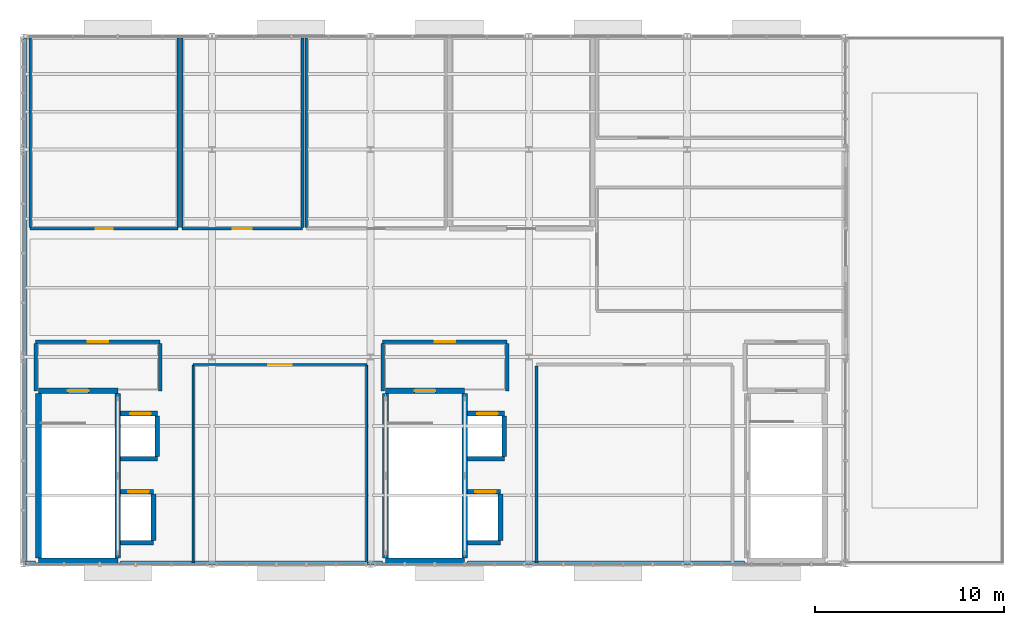
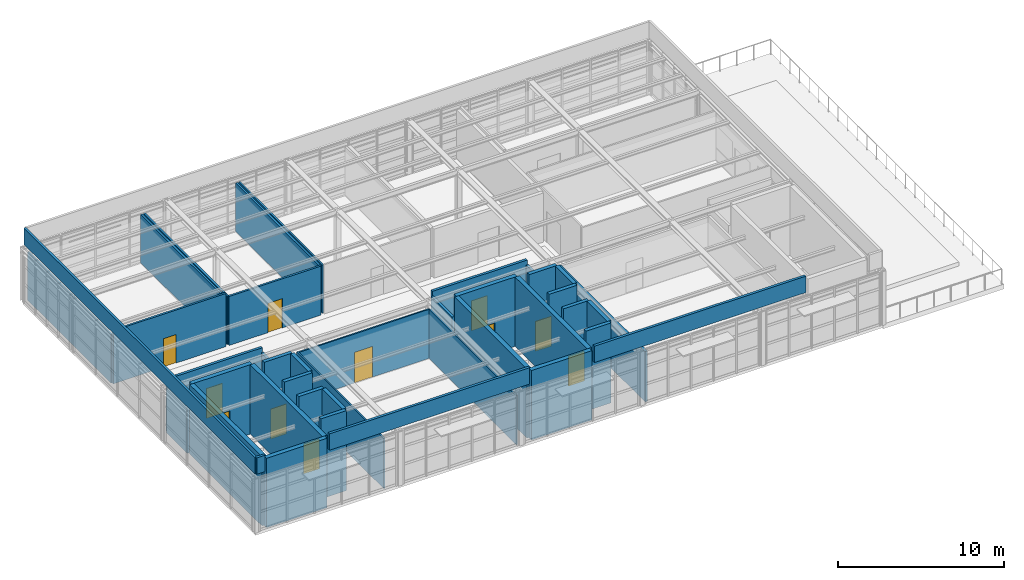
# One storey, part 16 of 18: 41 walls, 11 doors, 11 openings.
"""IFC4 building model written with IfcOpenShell, lengths in metres."""

from ifc_helpers import new_model, si_unit, direction, frame, frame_2d, origin, place, context, subcontext, project, spatial, rectangle, extrude, material, layer, layer_set, type_object, element, fill, save


model = new_model("IFC4")

# Units and contexts
model_context = context("Model", 3, precision=1e-05, world=origin(), true_north=direction((0.0, 1.0)))
body_context = subcontext(model_context, "Body", "Model", "MODEL_VIEW")
ifc_project = project(units=[si_unit("LENGTHUNIT", "METRE"), si_unit("AREAUNIT", "SQUARE_METRE"), si_unit("VOLUMEUNIT", "CUBIC_METRE"), si_unit("PLANEANGLEUNIT", "RADIAN"), si_unit("MASSUNIT", "GRAM", prefix="KILO")], contexts=[model_context])

# Site, building, storey
site_placement = place(None, origin())
site = spatial("IfcSite", under=ifc_project, at=site_placement, CompositionType="ELEMENT")
building_placement = place(site_placement, origin())
building = spatial("IfcBuilding", under=site, at=building_placement, Name="Sitalva Quay Ferry Terminal", CompositionType="ELEMENT")
storey_placement = place(building_placement, frame((0.0, 0.0, 18.60009765625)))
storey = spatial("IfcBuildingStorey", under=building, at=storey_placement, Name="L05", CompositionType="ELEMENT", Elevation=18.60009765625)

# Wall
ifc_material_1 = material(Name="Concrete C40/50", Category="concrete")
ifc_layer_1 = layer(ifc_material_1, 0.300048828125)
ifc_layer_set_1 = layer_set([ifc_layer_1], Name="Concrete C40/50")
wall_type_1 = type_object("IfcWallType", Name="Wall_CoreShear_300", PredefinedType="SHEAR", material=ifc_layer_set_1)
wall_1_placement = place(storey_placement, frame((74.800048828125, 78.199951171875, 0.0), z_axis=(0.0, 0.0, 1.0), x_axis=(1.0, 0.0, 0.0)))
element("IfcWall", 1, at=wall_1_placement, inside=storey, type_object=wall_type_1, Name="Core C1 L05 south shear wall", PredefinedType="SHEAR", context=body_context, shape_type="SweptSolid", body=[
    extrude(rectangle(XDim=4.199951171875, YDim=0.300048828125, at=frame_2d((2.10009765625, 0.0))), origin(), (0.0, 0.0, 1.0), 5.099853515625),
])

# Wall, opening, door
wall_2_placement = place(storey_placement, frame((74.800048828125, 87.199951171875, 0.0), z_axis=(0.0, 0.0, 1.0), x_axis=(1.0, 0.0, 0.0)))
wall_2 = element("IfcWall", 2, at=wall_2_placement, inside=storey, type_object=wall_type_1, Name="Core C1 L05 north shear wall", PredefinedType="SHEAR", context=body_context, shape_type="SweptSolid", body=[
    extrude(rectangle(XDim=4.199951171875, YDim=0.300048828125, at=frame_2d((2.10009765625, 0.0))), origin(), (0.0, 0.0, 1.0), 5.099853515625),
])
opening_1_placement = place(wall_2_placement, frame((1.550048828125, 0.0, 0.0)))
opening_1 = element("IfcOpeningElement", 3, at=opening_1_placement, cuts=wall_2, Name="Opening D-L05-005", PredefinedType="OPENING", context=body_context, shape_type="SweptSolid", body=[
    extrude(rectangle(XDim=1.10009765625, YDim=2.199951171875, at=frame_2d((0.550048828125, 1.10009765625))), frame((0.0, 0.159912109375, 0.0), z_axis=(0.0, -1.0, 0.0), x_axis=(1.0, 0.0, 0.0)), (0.0, 0.0, 1.0), 0.320068359375),
])
ifc_material_2 = material(Name="Galvanised Steel Fire Door", Category="steel")
door_type_1 = type_object("IfcDoorType", Name="Door_CoreExit_1100x2200", OperationType="SINGLE_SWING_LEFT", PredefinedType="DOOR", material=ifc_material_2)
door_1_placement = place(opening_1_placement, origin())
door_1 = element("IfcDoor", 4, at=door_1_placement, inside=storey, type_object=door_type_1, Name="DOOR-D-L05-005 Protected stair ST-01 door D-L05-005", OperationType="SINGLE_SWING_LEFT", OverallHeight=2.199951171875, OverallWidth=1.10009765625, PredefinedType="DOOR", context=body_context, shape_type="SweptSolid", body=[
    extrude(rectangle(XDim=1.10009765625, YDim=2.199951171875, at=frame_2d((0.550048828125, 1.10009765625))), frame((0.0, 0.02490234375, 0.0), z_axis=(0.0, -1.0, 0.0), x_axis=(1.0, 0.0, 0.0)), (0.0, 0.0, 1.0), 0.050048828125),
])
fill(opening_1, door_1)

# Walls
for number, where, z_axis, x_axis, name in (
    (5, (74.800048828125, 78.35009765625, 0.0), (0.0, 0.0, 1.0), (0.0, 1.0, 0.0), "Core C1 L05 west shear wall"),
    (6, (79.0, 78.35009765625, 0.0), (0.0, 0.0, 1.0), (0.0, 1.0, 0.0), "Core C1 L05 east shear wall"),
):
    element("IfcWall", number, at=place(storey_placement, frame(where, z_axis=z_axis, x_axis=x_axis)), inside=storey, type_object=wall_type_1, Name=name, PredefinedType="SHEAR", context=body_context, shape_type="SweptSolid", body=[
        extrude(rectangle(XDim=8.699951171875, YDim=0.300048828125, at=frame_2d((4.35009765625, 0.0))), origin(), (0.0, 0.0, 1.0), 5.099853515625),
    ])
wall_3_placement = place(storey_placement, frame((93.199951171875, 78.199951171875, 0.0), z_axis=(0.0, 0.0, 1.0), x_axis=(1.0, 0.0, 0.0)))
element("IfcWall", 7, at=wall_3_placement, inside=storey, type_object=wall_type_1, Name="Core C2 L05 south shear wall", PredefinedType="SHEAR", context=body_context, shape_type="SweptSolid", body=[
    extrude(rectangle(XDim=4.199951171875, YDim=0.300048828125, at=frame_2d((2.10009765625, 0.0))), origin(), (0.0, 0.0, 1.0), 5.099853515625),
])

# Wall, opening, door
wall_4_placement = place(storey_placement, frame((93.199951171875, 87.199951171875, 0.0), z_axis=(0.0, 0.0, 1.0), x_axis=(1.0, 0.0, 0.0)))
wall_4 = element("IfcWall", 8, at=wall_4_placement, inside=storey, type_object=wall_type_1, Name="Core C2 L05 north shear wall", PredefinedType="SHEAR", context=body_context, shape_type="SweptSolid", body=[
    extrude(rectangle(XDim=4.199951171875, YDim=0.300048828125, at=frame_2d((2.10009765625, 0.0))), origin(), (0.0, 0.0, 1.0), 5.099853515625),
])
opening_2_placement = place(wall_4_placement, frame((1.550048828125, 0.0, 0.0)))
opening_2 = element("IfcOpeningElement", 9, at=opening_2_placement, cuts=wall_4, Name="Opening D-L05-010", PredefinedType="OPENING", context=body_context, shape_type="SweptSolid", body=[
    extrude(rectangle(XDim=1.10009765625, YDim=2.199951171875, at=frame_2d((0.550048828125, 1.10009765625))), frame((0.0, 0.159912109375, 0.0), z_axis=(0.0, -1.0, 0.0), x_axis=(1.0, 0.0, 0.0)), (0.0, 0.0, 1.0), 0.320068359375),
])
door_2_placement = place(opening_2_placement, origin())
door_2 = element("IfcDoor", 10, at=door_2_placement, inside=storey, type_object=door_type_1, Name="DOOR-D-L05-010 Protected stair ST-02 door D-L05-010", OperationType="SINGLE_SWING_RIGHT", OverallHeight=2.199951171875, OverallWidth=1.10009765625, PredefinedType="DOOR", context=body_context, shape_type="SweptSolid", body=[
    extrude(rectangle(XDim=1.10009765625, YDim=2.199951171875, at=frame_2d((0.550048828125, 1.10009765625))), frame((0.0, 0.02490234375, 0.0), z_axis=(0.0, -1.0, 0.0), x_axis=(1.0, 0.0, 0.0)), (0.0, 0.0, 1.0), 0.050048828125),
])
fill(opening_2, door_2)

# Walls
for number, where, z_axis, x_axis, name in (
    (11, (93.199951171875, 78.35009765625, 0.0), (0.0, 0.0, 1.0), (0.0, 1.0, 0.0), "Core C2 L05 west shear wall"),
    (12, (97.39990234375, 78.35009765625, 0.0), (0.0, 0.0, 1.0), (0.0, 1.0, 0.0), "Core C2 L05 east shear wall"),
):
    element("IfcWall", number, at=place(storey_placement, frame(where, z_axis=z_axis, x_axis=x_axis)), inside=storey, type_object=wall_type_1, Name=name, PredefinedType="SHEAR", context=body_context, shape_type="SweptSolid", body=[
        extrude(rectangle(XDim=8.699951171875, YDim=0.300048828125, at=frame_2d((4.35009765625, 0.0))), origin(), (0.0, 0.0, 1.0), 5.099853515625),
    ])

# Wall, opening, door
ifc_material_3 = material(Name="Fire-Rated Blockwork C25/30", Category="masonry")
ifc_layer_2 = layer(ifc_material_3, 0.179931640625)
ifc_layer_set_2 = layer_set([ifc_layer_2], Name="Fire-Rated Blockwork C25/30")
wall_type_2 = type_object("IfcWallType", Name="Wall_FireLobby_180", PredefinedType="SOLIDWALL", material=ifc_layer_set_2)
wall_5_placement = place(storey_placement, frame((74.64990234375, 89.800048828125, 0.0), z_axis=(0.0, 0.0, 1.0), x_axis=(1.0, 0.0, 0.0)))
wall_5 = element("IfcWall", 13, at=wall_5_placement, inside=storey, type_object=wall_type_2, Name="Firefighting & Lift Lobby C1 N wall IW-L05-0013", PredefinedType="SOLIDWALL", context=body_context, shape_type="SweptSolid", body=[
    extrude(rectangle(XDim=6.60009765625, YDim=0.179931640625, at=frame_2d((3.300048828125, 0.0))), origin(), (0.0, 0.0, 1.0), 3.89990234375),
])
opening_3_placement = place(wall_5_placement, frame((2.75, 0.0, 0.0)))
opening_3 = element("IfcOpeningElement", 14, at=opening_3_placement, cuts=wall_5, Name="Opening ID-L05-005", PredefinedType="OPENING", context=body_context, shape_type="SweptSolid", body=[
    extrude(rectangle(XDim=1.10009765625, YDim=2.199951171875, at=frame_2d((0.550048828125, 1.10009765625))), frame((0.0, 0.099853515625, 0.0), z_axis=(0.0, -1.0, 0.0), x_axis=(1.0, 0.0, 0.0)), (0.0, 0.0, 1.0), 0.199951171875),
])
ifc_material_4 = material(Name="Steel Fire Door", Category="steel")
door_type_2 = type_object("IfcDoorType", Name="Door_FireLobby_1100x2200", OperationType="SINGLE_SWING_LEFT", PredefinedType="DOOR", material=ifc_material_4)
door_3_placement = place(opening_3_placement, origin())
door_3 = element("IfcDoor", 15, at=door_3_placement, inside=storey, type_object=door_type_2, Name="IDOOR-ID-L05-005 Firefighting & Lift Lobby C1 entrance ID-L05-005", OperationType="SINGLE_SWING_LEFT", OverallHeight=2.199951171875, OverallWidth=1.10009765625, PredefinedType="DOOR", context=body_context, shape_type="SweptSolid", body=[
    extrude(rectangle(XDim=1.10009765625, YDim=2.199951171875, at=frame_2d((0.550048828125, 1.10009765625))), frame((0.0, 0.02490234375, 0.0), z_axis=(0.0, -1.0, 0.0), x_axis=(1.0, 0.0, 0.0)), (0.0, 0.0, 1.0), 0.050048828125),
])
fill(opening_3, door_3)

# Walls
for number, where, z_axis, x_axis, name in (
    (16, (74.64990234375, 87.199951171875, 0.0), (0.0, 0.0, 1.0), (0.0, 1.0, 0.0), "Firefighting & Lift Lobby C1 W wall IW-L05-0014"),
    (17, (81.25, 87.199951171875, 0.0), (0.0, 0.0, 1.0), (0.0, 1.0, 0.0), "Firefighting & Lift Lobby C1 E wall IW-L05-0015"),
):
    element("IfcWall", number, at=place(storey_placement, frame(where, z_axis=z_axis, x_axis=x_axis)), inside=storey, type_object=wall_type_2, Name=name, PredefinedType="SOLIDWALL", context=body_context, shape_type="SweptSolid", body=[
        extrude(rectangle(XDim=2.510009765625, YDim=0.179931640625, at=frame_2d((1.2548828125, 0.0))), origin(), (0.0, 0.0, 1.0), 3.5498046875),
    ])

# Wall, opening, door
wall_6_placement = place(storey_placement, frame((93.050048828125, 89.800048828125, 0.0), z_axis=(0.0, 0.0, 1.0), x_axis=(1.0, 0.0, 0.0)))
wall_6 = element("IfcWall", 18, at=wall_6_placement, inside=storey, type_object=wall_type_2, Name="Firefighting & Lift Lobby C2 N wall IW-L05-0028", PredefinedType="SOLIDWALL", context=body_context, shape_type="SweptSolid", body=[
    extrude(rectangle(XDim=6.599853515625, YDim=0.179931640625, at=frame_2d((3.2998046875, 0.0))), origin(), (0.0, 0.0, 1.0), 3.89990234375),
])
opening_4_placement = place(wall_6_placement, frame((2.75, 0.0, 0.0)))
opening_4 = element("IfcOpeningElement", 19, at=opening_4_placement, cuts=wall_6, Name="Opening ID-L05-010", PredefinedType="OPENING", context=body_context, shape_type="SweptSolid", body=[
    extrude(rectangle(XDim=1.10009765625, YDim=2.199951171875, at=frame_2d((0.550048828125, 1.10009765625))), frame((0.0, 0.099853515625, 0.0), z_axis=(0.0, -1.0, 0.0), x_axis=(1.0, 0.0, 0.0)), (0.0, 0.0, 1.0), 0.199951171875),
])
door_4_placement = place(opening_4_placement, origin())
door_4 = element("IfcDoor", 20, at=door_4_placement, inside=storey, type_object=door_type_2, Name="IDOOR-ID-L05-010 Firefighting & Lift Lobby C2 entrance ID-L05-010", OperationType="SINGLE_SWING_RIGHT", OverallHeight=2.199951171875, OverallWidth=1.10009765625, PredefinedType="DOOR", context=body_context, shape_type="SweptSolid", body=[
    extrude(rectangle(XDim=1.10009765625, YDim=2.199951171875, at=frame_2d((0.550048828125, 1.10009765625))), frame((0.0, 0.02490234375, 0.0), z_axis=(0.0, -1.0, 0.0), x_axis=(1.0, 0.0, 0.0)), (0.0, 0.0, 1.0), 0.050048828125),
])
fill(opening_4, door_4)

# Walls
for number, where, z_axis, x_axis, name in (
    (21, (93.050048828125, 87.199951171875, 0.0), (0.0, 0.0, 1.0), (0.0, 1.0, 0.0), "Firefighting & Lift Lobby C2 W wall IW-L05-0029"),
    (22, (99.64990234375, 87.199951171875, 0.0), (0.0, 0.0, 1.0), (0.0, 1.0, 0.0), "Firefighting & Lift Lobby C2 E wall IW-L05-0030"),
):
    element("IfcWall", number, at=place(storey_placement, frame(where, z_axis=z_axis, x_axis=x_axis)), inside=storey, type_object=wall_type_2, Name=name, PredefinedType="SOLIDWALL", context=body_context, shape_type="SweptSolid", body=[
        extrude(rectangle(XDim=2.510009765625, YDim=0.179931640625, at=frame_2d((1.2548828125, 0.0))), origin(), (0.0, 0.0, 1.0), 3.5498046875),
    ])

# Wall, opening, door
ifc_material_5 = material(Name="Framed Acoustic Glass Partition", Category="glass")
ifc_layer_3 = layer(ifc_material_5, 0.10009765625)
ifc_layer_set_3 = layer_set([ifc_layer_3], Name="Framed Acoustic Glass Partition")
wall_type_3 = type_object("IfcWallType", Name="Wall_GlazedScreen_100", PredefinedType="MOVABLE", material=ifc_layer_set_3)
wall_7_placement = place(storey_placement, frame((83.0, 88.60009765625, 0.0), z_axis=(0.0, 0.0, 1.0), x_axis=(1.0, 0.0, 0.0)))
wall_7 = element("IfcWall", 23, at=wall_7_placement, inside=storey, type_object=wall_type_3, Name="360-Degree Vessel Traffic Services Control Bridge N wall IW-L05-0328", PredefinedType="MOVABLE", context=body_context, shape_type="SweptSolid", body=[
    extrude(rectangle(XDim=9.199951171875, YDim=0.10009765625, at=frame_2d((4.60009765625, 0.0))), origin(), (0.0, 0.0, 1.0), 3.60400390625),
])
opening_5_placement = place(wall_7_placement, frame((3.97509765625, 0.0, 0.0)))
opening_5 = element("IfcOpeningElement", 24, at=opening_5_placement, cuts=wall_7, Name="Opening ID-L05-115", PredefinedType="OPENING", context=body_context, shape_type="SweptSolid", body=[
    extrude(rectangle(XDim=1.25, YDim=2.25, at=frame_2d((0.625, 1.125))), frame((0.0, 0.06005859375, 0.0), z_axis=(0.0, -1.0, 0.0), x_axis=(1.0, 0.0, 0.0)), (0.0, 0.0, 1.0), 0.1201171875),
])
ifc_material_6 = material(Name="Acoustic Steel Console Room Door", Category="steel")
door_type_3 = type_object("IfcDoorType", Name="Door_VTS_1250x2250", OperationType="SINGLE_SWING_RIGHT", PredefinedType="DOOR", material=ifc_material_6)
door_5_placement = place(opening_5_placement, origin())
door_5 = element("IfcDoor", 25, at=door_5_placement, inside=storey, type_object=door_type_3, Name="IDOOR-ID-L05-115 360-Degree Vessel Traffic Services Control Bridge entrance ID-L05-115", OperationType="SINGLE_SWING_LEFT", OverallHeight=2.25, OverallWidth=1.25, PredefinedType="DOOR", context=body_context, shape_type="SweptSolid", body=[
    extrude(rectangle(XDim=1.25, YDim=2.25, at=frame_2d((0.625, 1.125))), frame((0.0, 0.02490234375, 0.0), z_axis=(0.0, -1.0, 0.0), x_axis=(1.0, 0.0, 0.0)), (0.0, 0.0, 1.0), 0.050048828125),
])
fill(opening_5, door_5)

# Walls
wall_8_placement = place(storey_placement, frame((83.0, 78.080078125, 0.0), z_axis=(0.0, 0.0, 1.0), x_axis=(0.0, 1.0, 0.0)))
element("IfcWall", 26, at=wall_8_placement, inside=storey, type_object=wall_type_3, Name="360-Degree Vessel Traffic Services Control Bridge W wall IW-L05-0329", PredefinedType="MOVABLE", context=body_context, shape_type="SweptSolid", body=[
    extrude(rectangle(XDim=10.469970703125, YDim=0.10009765625, at=frame_2d((5.23486328125, 0.0))), origin(), (0.0, 0.0, 1.0), 3.697998046875),
])
wall_9_placement = place(storey_placement, frame((92.199951171875, 78.080078125, 0.0), z_axis=(0.0, 0.0, 1.0), x_axis=(0.0, 1.0, 0.0)))
element("IfcWall", 27, at=wall_9_placement, inside=storey, type_object=wall_type_3, Name="360-Degree Vessel Traffic Services Control Bridge E wall IW-L05-0330", PredefinedType="MOVABLE", context=body_context, shape_type="SweptSolid", body=[
    extrude(rectangle(XDim=10.469970703125, YDim=0.10009765625, at=frame_2d((5.23486328125, 0.0))), origin(), (0.0, 0.0, 1.0), 3.60400390625),
])
ifc_material_7 = material(Name="Concrete C35/45", Category="concrete")
ifc_layer_4 = layer(ifc_material_7, 0.25)
ifc_layer_set_4 = layer_set([ifc_layer_4], Name="Concrete C35/45")
wall_type_4 = type_object("IfcWallType", Name="Wall_LiftShaft_250", PredefinedType="SOLIDWALL", material=ifc_layer_set_4)
wall_10_placement = place(storey_placement, frame((79.155029296875, 79.14990234375, 0.0), z_axis=(0.0, 0.0, 1.0), x_axis=(1.0, 0.0, 0.0)))
element("IfcWall", 28, at=wall_10_placement, inside=storey, type_object=wall_type_4, Name="Lift LF-01 L05 south shaft wall", PredefinedType="SOLIDWALL", context=body_context, shape_type="SweptSolid", body=[
    extrude(rectangle(XDim=1.744873046875, YDim=0.25, at=frame_2d((0.87255859375, 0.0))), origin(), (0.0, 0.0, 1.0), 5.8798828125),
])

# Wall, opening, door
wall_11_placement = place(storey_placement, frame((79.155029296875, 81.85009765625, 0.0), z_axis=(0.0, 0.0, 1.0), x_axis=(1.0, 0.0, 0.0)))
wall_11 = element("IfcWall", 29, at=wall_11_placement, inside=storey, type_object=wall_type_4, Name="Lift LF-01 L05 north shaft wall", PredefinedType="SOLIDWALL", context=body_context, shape_type="SweptSolid", body=[
    extrude(rectangle(XDim=1.744873046875, YDim=0.25, at=frame_2d((0.87255859375, 0.0))), origin(), (0.0, 0.0, 1.0), 5.8798828125),
])
opening_6_placement = place(wall_11_placement, frame((0.39990234375, 0.0, 0.0)))
opening_6 = element("IfcOpeningElement", 30, at=opening_6_placement, cuts=wall_11, Name="Opening LD-LF-01-L05", PredefinedType="OPENING", context=body_context, shape_type="SweptSolid", body=[
    extrude(rectangle(XDim=1.10009765625, YDim=2.199951171875, at=frame_2d((0.550048828125, 1.10009765625))), frame((0.0, 0.135009765625, 0.0), z_axis=(0.0, -1.0, 0.0), x_axis=(1.0, 0.0, 0.0)), (0.0, 0.0, 1.0), 0.27001953125),
])
ifc_material_8 = material(Name="Stainless Steel 316L Fire Landing Door", Category="steel")
door_type_4 = type_object("IfcDoorType", Name="Door_LiftLanding_1100x2200", OperationType="SLIDING_TO_LEFT", PredefinedType="DOOR", material=ifc_material_8)
door_6_placement = place(opening_6_placement, origin())
door_6 = element("IfcDoor", 31, at=door_6_placement, inside=storey, type_object=door_type_4, Name="DOOR-LD-LF-01-L05 Lift LF-01 sliding landing door LD-LF-01-L05", OperationType="SLIDING_TO_LEFT", OverallHeight=2.199951171875, OverallWidth=1.10009765625, PredefinedType="DOOR", context=body_context, shape_type="SweptSolid", body=[
    extrude(rectangle(XDim=1.10009765625, YDim=2.199951171875, at=frame_2d((0.550048828125, 1.10009765625))), frame((0.0, 0.02490234375, 0.0), z_axis=(0.0, -1.0, 0.0), x_axis=(1.0, 0.0, 0.0)), (0.0, 0.0, 1.0), 0.050048828125),
])
fill(opening_6, door_6)

# Walls
wall_12_placement = place(storey_placement, frame((80.89990234375, 79.27490234375, 0.0), z_axis=(0.0, 0.0, 1.0), x_axis=(0.0, 1.0, 0.0)))
element("IfcWall", 32, at=wall_12_placement, inside=storey, type_object=wall_type_4, Name="Lift LF-01 L05 east shaft wall", PredefinedType="SOLIDWALL", context=body_context, shape_type="SweptSolid", body=[
    extrude(rectangle(XDim=2.4501953125, YDim=0.25, at=frame_2d((1.22509765625, 0.0))), origin(), (0.0, 0.0, 1.0), 5.8798828125),
])
wall_13_placement = place(storey_placement, frame((79.155029296875, 83.60009765625, 0.0), z_axis=(0.0, 0.0, 1.0), x_axis=(1.0, 0.0, 0.0)))
element("IfcWall", 33, at=wall_13_placement, inside=storey, type_object=wall_type_4, Name="Lift LF-03 L05 south shaft wall", PredefinedType="SOLIDWALL", context=body_context, shape_type="SweptSolid", body=[
    extrude(rectangle(XDim=1.945068359375, YDim=0.25, at=frame_2d((0.97265625, 0.0))), origin(), (0.0, 0.0, 1.0), 5.8798828125),
])

# Wall, opening, door
wall_14_placement = place(storey_placement, frame((79.155029296875, 86.0, 0.0), z_axis=(0.0, 0.0, 1.0), x_axis=(1.0, 0.0, 0.0)))
wall_14 = element("IfcWall", 34, at=wall_14_placement, inside=storey, type_object=wall_type_4, Name="Lift LF-03 L05 north shaft wall", PredefinedType="SOLIDWALL", context=body_context, shape_type="SweptSolid", body=[
    extrude(rectangle(XDim=1.945068359375, YDim=0.25, at=frame_2d((0.97265625, 0.0))), origin(), (0.0, 0.0, 1.0), 5.8798828125),
])
opening_7_placement = place(wall_14_placement, frame((0.5, 0.0, 0.0)))
opening_7 = element("IfcOpeningElement", 35, at=opening_7_placement, cuts=wall_14, Name="Opening LD-LF-03-L05", PredefinedType="OPENING", context=body_context, shape_type="SweptSolid", body=[
    extrude(rectangle(XDim=1.10009765625, YDim=2.199951171875, at=frame_2d((0.550048828125, 1.10009765625))), frame((0.0, 0.135009765625, 0.0), z_axis=(0.0, -1.0, 0.0), x_axis=(1.0, 0.0, 0.0)), (0.0, 0.0, 1.0), 0.27001953125),
])
door_7_placement = place(opening_7_placement, origin())
door_7 = element("IfcDoor", 36, at=door_7_placement, inside=storey, type_object=door_type_4, Name="DOOR-LD-LF-03-L05 Lift LF-03 sliding landing door LD-LF-03-L05", OperationType="SLIDING_TO_LEFT", OverallHeight=2.199951171875, OverallWidth=1.10009765625, PredefinedType="DOOR", context=body_context, shape_type="SweptSolid", body=[
    extrude(rectangle(XDim=1.10009765625, YDim=2.199951171875, at=frame_2d((0.550048828125, 1.10009765625))), frame((0.0, 0.02490234375, 0.0), z_axis=(0.0, -1.0, 0.0), x_axis=(1.0, 0.0, 0.0)), (0.0, 0.0, 1.0), 0.050048828125),
])
fill(opening_7, door_7)

# Walls
wall_15_placement = place(storey_placement, frame((81.10009765625, 83.72509765625, 0.0), z_axis=(0.0, 0.0, 1.0), x_axis=(0.0, 1.0, 0.0)))
element("IfcWall", 37, at=wall_15_placement, inside=storey, type_object=wall_type_4, Name="Lift LF-03 L05 east shaft wall", PredefinedType="SOLIDWALL", context=body_context, shape_type="SweptSolid", body=[
    extrude(rectangle(XDim=2.14990234375, YDim=0.25, at=frame_2d((1.074951171875, 0.0))), origin(), (0.0, 0.0, 1.0), 5.8798828125),
])
wall_16_placement = place(storey_placement, frame((97.554931640625, 79.14990234375, 0.0), z_axis=(0.0, 0.0, 1.0), x_axis=(1.0, 0.0, 0.0)))
element("IfcWall", 38, at=wall_16_placement, inside=storey, type_object=wall_type_4, Name="Lift LF-02 L05 south shaft wall", PredefinedType="SOLIDWALL", context=body_context, shape_type="SweptSolid", body=[
    extrude(rectangle(XDim=1.7451171875, YDim=0.25, at=frame_2d((0.87255859375, 0.0))), origin(), (0.0, 0.0, 1.0), 5.8798828125),
])

# Wall, opening, door
wall_17_placement = place(storey_placement, frame((97.554931640625, 81.85009765625, 0.0), z_axis=(0.0, 0.0, 1.0), x_axis=(1.0, 0.0, 0.0)))
wall_17 = element("IfcWall", 39, at=wall_17_placement, inside=storey, type_object=wall_type_4, Name="Lift LF-02 L05 north shaft wall", PredefinedType="SOLIDWALL", context=body_context, shape_type="SweptSolid", body=[
    extrude(rectangle(XDim=1.7451171875, YDim=0.25, at=frame_2d((0.87255859375, 0.0))), origin(), (0.0, 0.0, 1.0), 5.8798828125),
])
opening_8_placement = place(wall_17_placement, frame((0.39990234375, 0.0, 0.0)))
opening_8 = element("IfcOpeningElement", 40, at=opening_8_placement, cuts=wall_17, Name="Opening LD-LF-02-L05", PredefinedType="OPENING", context=body_context, shape_type="SweptSolid", body=[
    extrude(rectangle(XDim=1.10009765625, YDim=2.199951171875, at=frame_2d((0.550048828125, 1.10009765625))), frame((0.0, 0.135009765625, 0.0), z_axis=(0.0, -1.0, 0.0), x_axis=(1.0, 0.0, 0.0)), (0.0, 0.0, 1.0), 0.27001953125),
])
door_8_placement = place(opening_8_placement, origin())
door_8 = element("IfcDoor", 41, at=door_8_placement, inside=storey, type_object=door_type_4, Name="DOOR-LD-LF-02-L05 Lift LF-02 sliding landing door LD-LF-02-L05", OperationType="SLIDING_TO_LEFT", OverallHeight=2.199951171875, OverallWidth=1.10009765625, PredefinedType="DOOR", context=body_context, shape_type="SweptSolid", body=[
    extrude(rectangle(XDim=1.10009765625, YDim=2.199951171875, at=frame_2d((0.550048828125, 1.10009765625))), frame((0.0, 0.02490234375, 0.0), z_axis=(0.0, -1.0, 0.0), x_axis=(1.0, 0.0, 0.0)), (0.0, 0.0, 1.0), 0.050048828125),
])
fill(opening_8, door_8)

# Walls
wall_18_placement = place(storey_placement, frame((99.300048828125, 79.27490234375, 0.0), z_axis=(0.0, 0.0, 1.0), x_axis=(0.0, 1.0, 0.0)))
element("IfcWall", 42, at=wall_18_placement, inside=storey, type_object=wall_type_4, Name="Lift LF-02 L05 east shaft wall", PredefinedType="SOLIDWALL", context=body_context, shape_type="SweptSolid", body=[
    extrude(rectangle(XDim=2.4501953125, YDim=0.25, at=frame_2d((1.22509765625, 0.0))), origin(), (0.0, 0.0, 1.0), 5.8798828125),
])
wall_19_placement = place(storey_placement, frame((97.554931640625, 83.60009765625, 0.0), z_axis=(0.0, 0.0, 1.0), x_axis=(1.0, 0.0, 0.0)))
element("IfcWall", 43, at=wall_19_placement, inside=storey, type_object=wall_type_4, Name="Lift LF-04 L05 south shaft wall", PredefinedType="SOLIDWALL", context=body_context, shape_type="SweptSolid", body=[
    extrude(rectangle(XDim=1.945068359375, YDim=0.25, at=frame_2d((0.97265625, 0.0))), origin(), (0.0, 0.0, 1.0), 5.8798828125),
])

# Wall, opening, door
wall_20_placement = place(storey_placement, frame((97.554931640625, 86.0, 0.0), z_axis=(0.0, 0.0, 1.0), x_axis=(1.0, 0.0, 0.0)))
wall_20 = element("IfcWall", 44, at=wall_20_placement, inside=storey, type_object=wall_type_4, Name="Lift LF-04 L05 north shaft wall", PredefinedType="SOLIDWALL", context=body_context, shape_type="SweptSolid", body=[
    extrude(rectangle(XDim=1.945068359375, YDim=0.25, at=frame_2d((0.97265625, 0.0))), origin(), (0.0, 0.0, 1.0), 5.8798828125),
])
opening_9_placement = place(wall_20_placement, frame((0.5, 0.0, 0.0)))
opening_9 = element("IfcOpeningElement", 45, at=opening_9_placement, cuts=wall_20, Name="Opening LD-LF-04-L05", PredefinedType="OPENING", context=body_context, shape_type="SweptSolid", body=[
    extrude(rectangle(XDim=1.10009765625, YDim=2.199951171875, at=frame_2d((0.550048828125, 1.10009765625))), frame((0.0, 0.135009765625, 0.0), z_axis=(0.0, -1.0, 0.0), x_axis=(1.0, 0.0, 0.0)), (0.0, 0.0, 1.0), 0.27001953125),
])
door_9_placement = place(opening_9_placement, origin())
door_9 = element("IfcDoor", 46, at=door_9_placement, inside=storey, type_object=door_type_4, Name="DOOR-LD-LF-04-L05 Lift LF-04 sliding landing door LD-LF-04-L05", OperationType="SLIDING_TO_LEFT", OverallHeight=2.199951171875, OverallWidth=1.10009765625, PredefinedType="DOOR", context=body_context, shape_type="SweptSolid", body=[
    extrude(rectangle(XDim=1.10009765625, YDim=2.199951171875, at=frame_2d((0.550048828125, 1.10009765625))), frame((0.0, 0.02490234375, 0.0), z_axis=(0.0, -1.0, 0.0), x_axis=(1.0, 0.0, 0.0)), (0.0, 0.0, 1.0), 0.050048828125),
])
fill(opening_9, door_9)

# Walls
wall_21_placement = place(storey_placement, frame((99.5, 83.72509765625, 0.0), z_axis=(0.0, 0.0, 1.0), x_axis=(0.0, 1.0, 0.0)))
element("IfcWall", 47, at=wall_21_placement, inside=storey, type_object=wall_type_4, Name="Lift LF-04 L05 east shaft wall", PredefinedType="SOLIDWALL", context=body_context, shape_type="SweptSolid", body=[
    extrude(rectangle(XDim=2.14990234375, YDim=0.25, at=frame_2d((1.074951171875, 0.0))), origin(), (0.0, 0.0, 1.0), 5.8798828125),
])
ifc_material_9 = material(Name="Concrete C35/45", Category="concrete")
ifc_layer_5 = layer(ifc_material_9, 0.159912109375)
ifc_layer_set_5 = layer_set([ifc_layer_5], Name="Concrete C35/45")
wall_type_5 = type_object("IfcWallType", Name="Wall_Parapet_160", PredefinedType="PARAPET", material=ifc_layer_set_5)
wall_22_placement = place(storey_placement, frame((74.090087890625, 105.909912109375, 4.199951171875), z_axis=(0.0, 0.0, 1.0), x_axis=(0.0, -1.0, 0.0)))
element("IfcWall", 48, at=wall_22_placement, inside=storey, type_object=wall_type_5, Name="RF west parapet EW-L05-196", PredefinedType="PARAPET", context=body_context, shape_type="SweptSolid", body=[
    extrude(rectangle(XDim=27.81982421875, YDim=0.159912109375, at=frame_2d((13.909912109375, 0.0))), origin(), (0.0, 0.0, 1.0), 1.199951171875),
])
ifc_material_10 = material(Name="Concrete C35/45", Category="concrete")
ifc_layer_6 = layer(ifc_material_10, 0.179931640625)
ifc_layer_set_6 = layer_set([ifc_layer_6], Name="Concrete C35/45")
wall_type_6 = type_object("IfcWallType", Name="Wall_Parapet_180", PredefinedType="PARAPET", material=ifc_layer_set_6)
wall_23_placement = place(storey_placement, frame((74.090087890625, 78.090087890625, 4.199951171875), z_axis=(0.0, 0.0, 1.0), x_axis=(1.0, 0.0, 0.0)))
element("IfcWall", 49, at=wall_23_placement, inside=storey, type_object=wall_type_6, Name="RF south parapet EW-L05-190", PredefinedType="PARAPET", context=body_context, shape_type="SweptSolid", body=[
    extrude(rectangle(XDim=0.559814453125, YDim=0.179931640625, at=frame_2d((0.27978515625, 0.0))), origin(), (0.0, 0.0, 1.0), 1.199951171875),
])
wall_24_placement = place(storey_placement, frame((79.14990234375, 78.090087890625, 4.199951171875), z_axis=(0.0, 0.0, 1.0), x_axis=(1.0, 0.0, 0.0)))
element("IfcWall", 50, at=wall_24_placement, inside=storey, type_object=wall_type_6, Name="RF south parapet EW-L05-191", PredefinedType="PARAPET", context=body_context, shape_type="SweptSolid", body=[
    extrude(rectangle(XDim=13.900146484375, YDim=0.179931640625, at=frame_2d((6.9501953125, 0.0))), origin(), (0.0, 0.0, 1.0), 1.199951171875),
])
wall_25_placement = place(storey_placement, frame((97.550048828125, 78.090087890625, 4.199951171875), z_axis=(0.0, 0.0, 1.0), x_axis=(1.0, 0.0, 0.0)))
element("IfcWall", 51, at=wall_25_placement, inside=storey, type_object=wall_type_6, Name="RF south parapet EW-L05-192", PredefinedType="PARAPET", context=body_context, shape_type="SweptSolid", body=[
    extrude(rectangle(XDim=14.699951171875, YDim=0.179931640625, at=frame_2d((7.35009765625, 0.0))), origin(), (0.0, 0.0, 1.0), 1.199951171875),
])
ifc_material_11 = material(Name="Lightweight Steel-Stud Gypsum Partition", Category="steel")
ifc_layer_7 = layer(ifc_material_11, 0.114990234375)
ifc_layer_set_7 = layer_set([ifc_layer_7], Name="Lightweight Steel-Stud Gypsum Partition")
wall_type_7 = type_object("IfcWallType", Name="Wall_Partition_115", PredefinedType="PARTITIONING", material=ifc_layer_set_7)
wall_26_placement = place(storey_placement, frame((89.0, 95.857421875, 0.0), z_axis=(0.0, 0.0, 1.0), x_axis=(0.0, 1.0, 0.0)))
element("IfcWall", 52, at=wall_26_placement, inside=storey, type_object=wall_type_7, Name="Bridge Galley & Chart Store W wall IW-L05-0344", PredefinedType="PARTITIONING", context=body_context, shape_type="SweptSolid", body=[
    extrude(rectangle(XDim=10.0625, YDim=0.114990234375, at=frame_2d((5.03125, 0.0))), origin(), (0.0, 0.0, 1.0), 3.5498046875),
])
ifc_material_12 = material(Name="High-Acoustic Twin-Stud Partition", Category="gypsum")
ifc_layer_8 = layer(ifc_material_12, 0.1650390625)
ifc_layer_set_8 = layer_set([ifc_layer_8], Name="High-Acoustic Twin-Stud Partition")
wall_type_8 = type_object("IfcWallType", Name="Wall_Partition_165", PredefinedType="PARTITIONING", material=ifc_layer_set_8)
wall_27_placement = place(storey_placement, frame((101.199951171875, 78.080078125, 0.0), z_axis=(0.0, 0.0, 1.0), x_axis=(0.0, 1.0, 0.0)))
element("IfcWall", 53, at=wall_27_placement, inside=storey, type_object=wall_type_8, Name="Harbour Master Suite & Incident Command W wall IW-L05-0332", PredefinedType="PARTITIONING", context=body_context, shape_type="SweptSolid", body=[
    extrude(rectangle(XDim=10.4375, YDim=0.1650390625, at=frame_2d((5.21875, 0.0))), origin(), (0.0, 0.0, 1.0), 3.697998046875),
])

# Wall, opening, door
ifc_material_13 = material(Name="Moisture-Resistant Cement Board Partition", Category="gypsum")
ifc_layer_9 = layer(ifc_material_13, 0.139892578125)
ifc_layer_set_9 = layer_set([ifc_layer_9], Name="Moisture-Resistant Cement Board Partition")
wall_type_9 = type_object("IfcWallType", Name="Wall_WetRoom_140", PredefinedType="PARTITIONING", material=ifc_layer_set_9)
wall_28_placement = place(storey_placement, frame((74.35009765625, 95.800048828125, 0.0), z_axis=(0.0, 0.0, 1.0), x_axis=(1.0, 0.0, 0.0)))
wall_28 = element("IfcWall", 54, at=wall_28_placement, inside=storey, type_object=wall_type_9, Name="VTS Bridge Staff Toilets S wall IW-L05-0337", PredefinedType="PARTITIONING", context=body_context, shape_type="SweptSolid", body=[
    extrude(rectangle(XDim=7.849853515625, YDim=0.139892578125, at=frame_2d((3.9248046875, 0.0))), origin(), (0.0, 0.0, 1.0), 3.89990234375),
])
opening_10_placement = place(wall_28_placement, frame((3.47509765625, 0.0, 0.0)))
opening_10 = element("IfcOpeningElement", 55, at=opening_10_placement, cuts=wall_28, Name="Opening ID-L05-118", PredefinedType="OPENING", context=body_context, shape_type="SweptSolid", body=[
    extrude(rectangle(XDim=0.89990234375, YDim=2.10009765625, at=frame_2d((0.449951171875, 1.050048828125))), frame((0.0, 0.079833984375, 0.0), z_axis=(0.0, -1.0, 0.0), x_axis=(1.0, 0.0, 0.0)), (0.0, 0.0, 1.0), 0.159912109375),
])
ifc_material_14 = material(Name="High-Pressure Laminate Door", Category="wood")
door_type_5 = type_object("IfcDoorType", Name="Door_WC_900x2100", OperationType="SINGLE_SWING_LEFT", PredefinedType="DOOR", material=ifc_material_14)
door_10_placement = place(opening_10_placement, origin())
door_10 = element("IfcDoor", 56, at=door_10_placement, inside=storey, type_object=door_type_5, Name="IDOOR-ID-L05-118 VTS Bridge Staff Toilets entrance ID-L05-118", OperationType="SINGLE_SWING_RIGHT", OverallHeight=2.10009765625, OverallWidth=0.89990234375, PredefinedType="DOOR", context=body_context, shape_type="SweptSolid", body=[
    extrude(rectangle(XDim=0.89990234375, YDim=2.10009765625, at=frame_2d((0.449951171875, 1.050048828125))), frame((0.0, 0.02490234375, 0.0), z_axis=(0.0, -1.0, 0.0), x_axis=(1.0, 0.0, 0.0)), (0.0, 0.0, 1.0), 0.050048828125),
])
fill(opening_10, door_10)

# Walls
for number, where, z_axis, x_axis, name in (
    (57, (74.35009765625, 95.8701171875, 0.0), (0.0, 0.0, 1.0), (0.0, 1.0, 0.0), "VTS Bridge Staff Toilets W wall IW-L05-0338"),
    (58, (82.199951171875, 95.8701171875, 0.0), (0.0, 0.0, 1.0), (0.0, 1.0, 0.0), "VTS Bridge Staff Toilets E wall IW-L05-0339"),
):
    element("IfcWall", number, at=place(storey_placement, frame(where, z_axis=z_axis, x_axis=x_axis)), inside=storey, type_object=wall_type_9, Name=name, PredefinedType="PARTITIONING", context=body_context, shape_type="SweptSolid", body=[
        extrude(rectangle(XDim=10.0498046875, YDim=0.139892578125, at=frame_2d((5.02490234375, 0.0))), origin(), (0.0, 0.0, 1.0), 3.5498046875),
    ])

# Wall, opening, door
wall_29_placement = place(storey_placement, frame((82.39990234375, 95.800048828125, 0.0), z_axis=(0.0, 0.0, 1.0), x_axis=(1.0, 0.0, 0.0)))
wall_29 = element("IfcWall", 59, at=wall_29_placement, inside=storey, type_object=wall_type_9, Name="VTS Bridge Accessible WC S wall IW-L05-0340", PredefinedType="PARTITIONING", context=body_context, shape_type="SweptSolid", body=[
    extrude(rectangle(XDim=6.400146484375, YDim=0.139892578125, at=frame_2d((3.2001953125, 0.0))), origin(), (0.0, 0.0, 1.0), 3.60400390625),
])
opening_11_placement = place(wall_29_placement, frame((2.699951171875, 0.0, 0.0)))
opening_11 = element("IfcOpeningElement", 60, at=opening_11_placement, cuts=wall_29, Name="Opening ID-L05-119", PredefinedType="OPENING", context=body_context, shape_type="SweptSolid", body=[
    extrude(rectangle(XDim=1.0, YDim=2.14990234375, at=frame_2d((0.5, 1.074951171875))), frame((0.0, 0.079833984375, 0.0), z_axis=(0.0, -1.0, 0.0), x_axis=(1.0, 0.0, 0.0)), (0.0, 0.0, 1.0), 0.159912109375),
])
ifc_material_15 = material(Name="High-Pressure Laminate Accessible Door", Category="wood")
door_type_6 = type_object("IfcDoorType", Name="Door_AccWC_1000x2150", OperationType="SINGLE_SWING_RIGHT", PredefinedType="DOOR", material=ifc_material_15)
door_11_placement = place(opening_11_placement, origin())
door_11 = element("IfcDoor", 61, at=door_11_placement, inside=storey, type_object=door_type_6, Name="IDOOR-ID-L05-119 VTS Bridge Accessible WC entrance ID-L05-119", OperationType="SINGLE_SWING_LEFT", OverallHeight=2.14990234375, OverallWidth=1.0, PredefinedType="DOOR", context=body_context, shape_type="SweptSolid", body=[
    extrude(rectangle(XDim=1.0, YDim=2.14990234375, at=frame_2d((0.5, 1.074951171875))), frame((0.0, 0.02490234375, 0.0), z_axis=(0.0, -1.0, 0.0), x_axis=(1.0, 0.0, 0.0)), (0.0, 0.0, 1.0), 0.050048828125),
])
fill(opening_11, door_11)

# Walls
for number, where, z_axis, x_axis, name in (
    (62, (82.39990234375, 95.8701171875, 0.0), (0.0, 0.0, 1.0), (0.0, 1.0, 0.0), "VTS Bridge Accessible WC W wall IW-L05-0341"),
    (63, (88.800048828125, 95.8701171875, 0.0), (0.0, 0.0, 1.0), (0.0, 1.0, 0.0), "VTS Bridge Accessible WC E wall IW-L05-0342"),
):
    element("IfcWall", number, at=place(storey_placement, frame(where, z_axis=z_axis, x_axis=x_axis)), inside=storey, type_object=wall_type_9, Name=name, PredefinedType="PARTITIONING", context=body_context, shape_type="SweptSolid", body=[
        extrude(rectangle(XDim=10.0498046875, YDim=0.139892578125, at=frame_2d((5.02490234375, 0.0))), origin(), (0.0, 0.0, 1.0), 3.5498046875),
    ])

save(model, "model.ifc")
